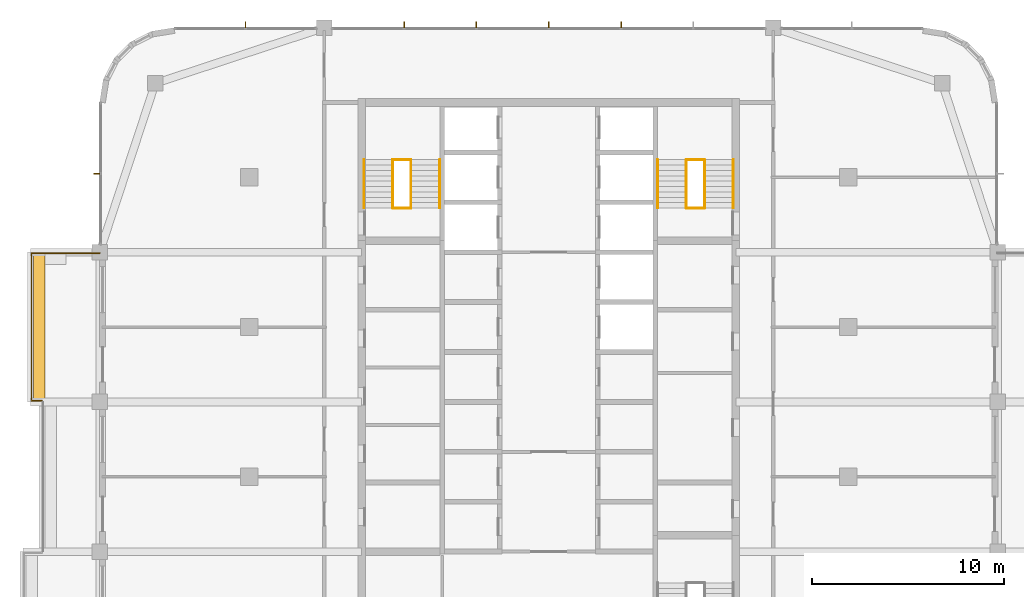
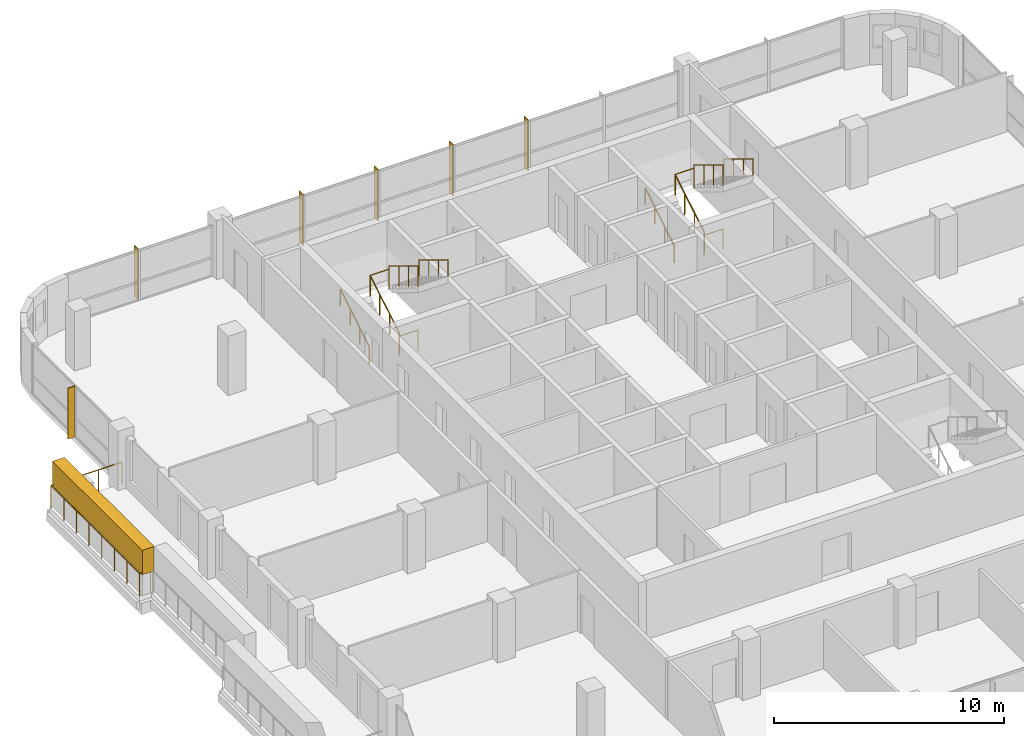
# One storey, part 21 of 22: 13 railings, 6 shading devices, 1 covering, 2 elements without a shape of their own.
"""IFC4 building model written with IfcOpenShell, lengths in metres."""

from ifc_helpers import new_model, si_unit, direction, frame, origin, origin_2d, place, context, subcontext, project, spatial, rectangle, circle, extrude, material, layer, layer_set, type_object, element, aggregate, save


model = new_model("IFC4")

# Units and contexts
model_context = context("Model", 3, precision=1e-05, world=origin(), true_north=direction((0.0, 1.0)))
body_context = subcontext(model_context, "Body", "Model", "MODEL_VIEW")
ifc_project = project(units=[si_unit("LENGTHUNIT", "METRE"), si_unit("AREAUNIT", "SQUARE_METRE"), si_unit("VOLUMEUNIT", "CUBIC_METRE"), si_unit("PLANEANGLEUNIT", "RADIAN"), si_unit("MASSUNIT", "GRAM", prefix="KILO")], contexts=[model_context])

# Site, building, storey
site_placement = place(None, origin())
site = spatial("IfcSite", under=ifc_project, at=site_placement, CompositionType="ELEMENT")
building_placement = place(site_placement, origin())
building = spatial("IfcBuilding", under=site, at=building_placement, Name="Ludao Terraces", CompositionType="ELEMENT")
storey_placement = place(building_placement, frame((0.0, 0.0, 200.699951171875)))
storey = spatial("IfcBuildingStorey", under=building, at=storey_placement, Name="L54", CompositionType="ELEMENT", Elevation=200.699951171875)

# Railing
ifc_material_1 = material(Name="Stainless steel 304", Category="steel")
railing_type_1 = type_object("IfcRailingType", Name="ENV Balcony glass guard 1200", PredefinedType="GUARDRAIL", material=ifc_material_1)
railing_1_placement = place(storey_placement, frame((58.60009765625, 68.949951171875, 0.0)))
element("IfcRailing", 1, at=railing_1_placement, inside=storey, type_object=railing_type_1, Name="Balcony guard L54 W3", PredefinedType="GUARDRAIL", context=body_context, shape_type="SweptSolid", body=[
    extrude(circle(Radius=0.02392578125, at=origin_2d()), frame((0.0, 0.0, 1.17578125), z_axis=(-1.0, 0.0, 0.0), x_axis=(0.0, -1.0, 0.0)), (0.0, 0.0, 1.0), 0.550048828125),
    extrude(circle(Radius=0.02392578125, at=origin_2d()), frame((-0.550048828125, 0.0, 1.17578125), z_axis=(0.0, 1.0, 0.0), x_axis=(-1.0, 0.0, 0.0)), (0.0, 0.0, 1.0), 7.699951171875),
    extrude(circle(Radius=0.02392578125, at=origin_2d()), frame((-0.550048828125, 7.699951171875, 1.17578125), z_axis=(1.0, 0.0, 0.0), x_axis=(0.0, 1.0, 0.0)), (0.0, 0.0, 1.0), 3.550048828125),
    extrude(circle(Radius=0.02099609375, at=origin_2d()), origin(), (0.0, 0.0, 1.0), 1.15185546875),
    extrude(circle(Radius=0.02099609375, at=origin_2d()), frame((-0.550048828125, 0.0, 0.0)), (0.0, 0.0, 1.0), 1.15185546875),
    extrude(circle(Radius=0.02099609375, at=origin_2d()), frame((-0.550048828125, 1.10009765625, 0.0)), (0.0, 0.0, 1.0), 1.15185546875),
    extrude(circle(Radius=0.02099609375, at=origin_2d()), frame((-0.550048828125, 2.199951171875, 0.0)), (0.0, 0.0, 1.0), 1.15185546875),
    extrude(circle(Radius=0.02099609375, at=origin_2d()), frame((-0.550048828125, 3.300048828125, 0.0)), (0.0, 0.0, 1.0), 1.15185546875),
    extrude(circle(Radius=0.02099609375, at=origin_2d()), frame((-0.550048828125, 4.39990234375, 0.0)), (0.0, 0.0, 1.0), 1.15185546875),
    extrude(circle(Radius=0.02099609375, at=origin_2d()), frame((-0.550048828125, 5.5, 0.0)), (0.0, 0.0, 1.0), 1.15185546875),
    extrude(circle(Radius=0.02099609375, at=origin_2d()), frame((-0.550048828125, 6.599853515625, 0.0)), (0.0, 0.0, 1.0), 1.15185546875),
    extrude(circle(Radius=0.02099609375, at=origin_2d()), frame((-0.550048828125, 7.699951171875, 0.0)), (0.0, 0.0, 1.0), 1.15185546875),
    extrude(circle(Radius=0.02099609375, at=origin_2d()), frame((0.63330078125, 7.699951171875, 0.0)), (0.0, 0.0, 1.0), 1.15185546875),
    extrude(circle(Radius=0.02099609375, at=origin_2d()), frame((1.816650390625, 7.699951171875, 0.0)), (0.0, 0.0, 1.0), 1.15185546875),
    extrude(circle(Radius=0.02099609375, at=origin_2d()), frame((3.0, 7.699951171875, 0.0)), (0.0, 0.0, 1.0), 1.15185546875),
])

# Covering
ifc_material_2 = material(Name="Planting")
ifc_layer_1 = layer(ifc_material_2, 0.60009765625)
ifc_layer_set_1 = layer_set([ifc_layer_1], Name="ENV Planting hedge 600x1300")
covering_type = type_object("IfcCoveringType", Name="ENV Planting hedge 600x1300", PredefinedType="USERDEFINED", material=ifc_layer_set_1)
covering_placement = place(storey_placement, frame((58.449951171875, 72.800048828125, 1.10009765625), z_axis=(0.0, 0.0, 1.0), x_axis=(1.0, 0.0, 0.0)))
element("IfcCovering", 2, at=covering_placement, inside=storey, type_object=covering_type, Name="Planting hedge L54-W3", ObjectType="PLANTING", PredefinedType="USERDEFINED", context=body_context, shape_type="SweptSolid", body=[
    extrude(rectangle(XDim=0.60009765625, YDim=7.800048828125, at=origin_2d()), origin(), (0.0, 0.0, 1.0), 1.300048828125),
])

# Shading devices
ifc_material_3 = material(Name="Aluminium 6063-T6", Category="aluminium")
ifc_layer_2 = layer(ifc_material_3, 0.050048828125)
ifc_layer_set_2 = layer_set([ifc_layer_2], Name="ENV Sun fin 50x350")
shading_device_type = type_object("IfcShadingDeviceType", Name="ENV Sun fin 50x350", PredefinedType="USERDEFINED", material=ifc_layer_set_2)
for number, where, z_axis, x_axis, name in (
    (3, (69.199951171875, 88.5400390625, 0.0), (0.0, 0.0, 1.0), (1.0, 0.0, 0.0), "FN-CW-L54-N1-1"),
    (4, (77.466552734375, 88.5400390625, 0.0), (0.0, 0.0, 1.0), (1.0, 0.0, 0.0), "FN-CW-L54-N2-1"),
    (5, (81.2333984375, 88.5400390625, 0.0), (0.0, 0.0, 1.0), (1.0, 0.0, 0.0), "FN-CW-L54-N2-2"),
    (6, (85.0, 88.5400390625, 0.0), (0.0, 0.0, 1.0), (1.0, 0.0, 0.0), "FN-CW-L54-N2-3"),
    (7, (88.7666015625, 88.5400390625, 0.0), (0.0, 0.0, 1.0), (1.0, 0.0, 0.0), "FN-CW-L54-N2-4"),
):
    element("IfcShadingDevice", number, at=place(storey_placement, frame(where, z_axis=z_axis, x_axis=x_axis)), inside=storey, type_object=shading_device_type, Name=name, ObjectType="FIN", PredefinedType="USERDEFINED", context=body_context, shape_type="SweptSolid", body=[
        extrude(rectangle(XDim=0.050048828125, YDim=0.35009765625, at=origin_2d()), origin(), (0.0, 0.0, 1.0), 2.699951171875),
    ])
shading_device_placement = place(storey_placement, frame((61.4599609375, 80.800048828125, 0.0), z_axis=(0.0, 0.0, 1.0), x_axis=(1.0, 0.0, 0.0)))
element("IfcShadingDevice", 8, at=shading_device_placement, inside=storey, type_object=shading_device_type, Name="FN-CW-L54-W5-1", ObjectType="FIN", PredefinedType="USERDEFINED", context=body_context, shape_type="SweptSolid", body=[
    extrude(rectangle(XDim=0.35009765625, YDim=0.050048828125, at=origin_2d()), origin(), (0.0, 0.0, 1.0), 2.699951171875),
])

# Stair, railings
ifc_material_4 = material(Name="Concrete C40", Category="concrete")
stair_type = type_object("IfcStairType", Name="INT Stair", PredefinedType="HALF_TURN_STAIR", material=ifc_material_4)
stair_1_placement = place(storey_placement, origin())
stair_1 = element("IfcStair", 9, at=stair_1_placement, inside=storey, type_object=stair_type, Name="EXIT STAIR 1", PredefinedType="HALF_TURN_STAIR")
railing_type_2 = type_object("IfcRailingType", Name="INT Stair guard 1100", PredefinedType="GUARDRAIL", material=ifc_material_1)
railing_2_placement = place(storey_placement, frame((76.875, 79.0, 0.170166015625)))
railing_2 = element("IfcRailing", 10, at=railing_2_placement, type_object=railing_type_2, Name="ST-L54-S1-R1G", PredefinedType="GUARDRAIL", context=body_context, shape_type="SweptSolid", body=[
    extrude(circle(Radius=0.02392578125, at=origin_2d()), frame((0.0, 0.0, 1.076171875), z_axis=(0.0, 0.854821627497, 0.518921945155), x_axis=(-1.0, 0.0, 0.0)), (0.0, 0.0, 1.0), 2.947998046875),
    extrude(circle(Radius=0.02099609375, at=origin_2d()), origin(), (0.0, 0.0, 1.0), 1.052001953125),
    extrude(circle(Radius=0.02099609375, at=origin_2d()), frame((0.0, 0.840087890625, 0.510009765625)), (0.0, 0.0, 1.0), 1.052001953125),
    extrude(circle(Radius=0.02099609375, at=origin_2d()), frame((0.0, 1.679931640625, 1.019775390625)), (0.0, 0.0, 1.0), 1.052001953125),
    extrude(circle(Radius=0.02099609375, at=origin_2d()), frame((0.0, 2.52001953125, 1.52978515625)), (0.0, 0.0, 1.0), 1.052001953125),
])
railing_3_placement = place(storey_placement, frame((77.824951171875, 81.52001953125, 1.8701171875)))
railing_3 = element("IfcRailing", 11, at=railing_3_placement, type_object=railing_type_2, Name="ST-L54-S1-R2G", PredefinedType="GUARDRAIL", context=body_context, shape_type="SweptSolid", body=[
    extrude(circle(Radius=0.02392578125, at=origin_2d()), frame((0.0, 0.0, 1.076171875), z_axis=(0.0, -0.85478489116, 0.518982456201), x_axis=(1.0, 0.0, 0.0)), (0.0, 0.0, 1.0), 2.9482421875),
    extrude(circle(Radius=0.02099609375, at=origin_2d()), origin(), (0.0, 0.0, 1.0), 1.052001953125),
    extrude(circle(Radius=0.02099609375, at=origin_2d()), frame((0.0, -0.840087890625, 0.510009765625)), (0.0, 0.0, 1.0), 1.052001953125),
    extrude(circle(Radius=0.02099609375, at=origin_2d()), frame((0.0, -1.679931640625, 1.02001953125)), (0.0, 0.0, 1.0), 1.052001953125),
    extrude(circle(Radius=0.02099609375, at=origin_2d()), frame((0.0, -2.52001953125, 1.530029296875)), (0.0, 0.0, 1.0), 1.052001953125),
])
railing_4_placement = place(storey_placement, frame((76.875, 81.52001953125, 1.699951171875)))
railing_4 = element("IfcRailing", 12, at=railing_4_placement, type_object=railing_type_2, Name="ST-L54-S1-E1G", PredefinedType="GUARDRAIL", context=body_context, shape_type="SweptSolid", body=[
    extrude(circle(Radius=0.02392578125, at=origin_2d()), frame((0.0, 0.0, 1.076171875), z_axis=(1.0, 0.0, 0.0), x_axis=(0.0, 1.0, 0.0)), (0.0, 0.0, 1.0), 0.949951171875),
    extrude(circle(Radius=0.02099609375, at=origin_2d()), origin(), (0.0, 0.0, 1.0), 1.052001953125),
    extrude(circle(Radius=0.02099609375, at=origin_2d()), frame((0.949951171875, 0.0, 0.0)), (0.0, 0.0, 1.0), 1.052001953125),
])
railing_5_placement = place(storey_placement, frame((76.875, 79.0, 0.0)))
railing_5 = element("IfcRailing", 13, at=railing_5_placement, type_object=railing_type_2, Name="ST-L54-S1-E2G", PredefinedType="GUARDRAIL", context=body_context, shape_type="SweptSolid", body=[
    extrude(circle(Radius=0.02392578125, at=origin_2d()), frame((0.0, 0.0, 1.076171875), z_axis=(1.0, 0.0, 0.0), x_axis=(0.0, 1.0, 0.0)), (0.0, 0.0, 1.0), 0.949951171875),
    extrude(circle(Radius=0.02099609375, at=origin_2d()), origin(), (0.0, 0.0, 1.0), 1.052001953125),
    extrude(circle(Radius=0.02099609375, at=origin_2d()), frame((0.949951171875, 0.0, 0.0)), (0.0, 0.0, 1.0), 1.052001953125),
])

stair_2_placement = place(storey_placement, origin())
stair_2 = element("IfcStair", 14, at=stair_2_placement, inside=storey, type_object=stair_type, Name="EXIT STAIR 2", PredefinedType="HALF_TURN_STAIR")
railing_6_placement = place(storey_placement, frame((92.175048828125, 79.0, 0.170166015625)))
railing_6 = element("IfcRailing", 15, at=railing_6_placement, type_object=railing_type_2, Name="ST-L54-S2-R1G", PredefinedType="GUARDRAIL", context=body_context, shape_type="SweptSolid", body=[
    extrude(circle(Radius=0.02392578125, at=origin_2d()), frame((0.0, 0.0, 1.076171875), z_axis=(0.0, 0.854821627497, 0.518921945155), x_axis=(-1.0, 0.0, 0.0)), (0.0, 0.0, 1.0), 2.947998046875),
    extrude(circle(Radius=0.02099609375, at=origin_2d()), origin(), (0.0, 0.0, 1.0), 1.052001953125),
    extrude(circle(Radius=0.02099609375, at=origin_2d()), frame((0.0, 0.840087890625, 0.510009765625)), (0.0, 0.0, 1.0), 1.052001953125),
    extrude(circle(Radius=0.02099609375, at=origin_2d()), frame((0.0, 1.679931640625, 1.019775390625)), (0.0, 0.0, 1.0), 1.052001953125),
    extrude(circle(Radius=0.02099609375, at=origin_2d()), frame((0.0, 2.52001953125, 1.52978515625)), (0.0, 0.0, 1.0), 1.052001953125),
])
railing_7_placement = place(storey_placement, frame((93.125, 81.52001953125, 1.8701171875)))
railing_7 = element("IfcRailing", 16, at=railing_7_placement, type_object=railing_type_2, Name="ST-L54-S2-R2G", PredefinedType="GUARDRAIL", context=body_context, shape_type="SweptSolid", body=[
    extrude(circle(Radius=0.02392578125, at=origin_2d()), frame((0.0, 0.0, 1.076171875), z_axis=(0.0, -0.85478489116, 0.518982456201), x_axis=(1.0, 0.0, 0.0)), (0.0, 0.0, 1.0), 2.9482421875),
    extrude(circle(Radius=0.02099609375, at=origin_2d()), origin(), (0.0, 0.0, 1.0), 1.052001953125),
    extrude(circle(Radius=0.02099609375, at=origin_2d()), frame((0.0, -0.840087890625, 0.510009765625)), (0.0, 0.0, 1.0), 1.052001953125),
    extrude(circle(Radius=0.02099609375, at=origin_2d()), frame((0.0, -1.679931640625, 1.02001953125)), (0.0, 0.0, 1.0), 1.052001953125),
    extrude(circle(Radius=0.02099609375, at=origin_2d()), frame((0.0, -2.52001953125, 1.530029296875)), (0.0, 0.0, 1.0), 1.052001953125),
])
railing_8_placement = place(storey_placement, frame((92.175048828125, 81.52001953125, 1.699951171875)))
railing_8 = element("IfcRailing", 17, at=railing_8_placement, type_object=railing_type_2, Name="ST-L54-S2-E1G", PredefinedType="GUARDRAIL", context=body_context, shape_type="SweptSolid", body=[
    extrude(circle(Radius=0.02392578125, at=origin_2d()), frame((0.0, 0.0, 1.076171875), z_axis=(1.0, 0.0, 0.0), x_axis=(0.0, 1.0, 0.0)), (0.0, 0.0, 1.0), 0.949951171875),
    extrude(circle(Radius=0.02099609375, at=origin_2d()), origin(), (0.0, 0.0, 1.0), 1.052001953125),
    extrude(circle(Radius=0.02099609375, at=origin_2d()), frame((0.949951171875, 0.0, 0.0)), (0.0, 0.0, 1.0), 1.052001953125),
])
railing_9_placement = place(storey_placement, frame((92.175048828125, 79.0, 0.0)))
railing_9 = element("IfcRailing", 18, at=railing_9_placement, type_object=railing_type_2, Name="ST-L54-S2-E2G", PredefinedType="GUARDRAIL", context=body_context, shape_type="SweptSolid", body=[
    extrude(circle(Radius=0.02392578125, at=origin_2d()), frame((0.0, 0.0, 1.076171875), z_axis=(1.0, 0.0, 0.0), x_axis=(0.0, 1.0, 0.0)), (0.0, 0.0, 1.0), 0.949951171875),
    extrude(circle(Radius=0.02099609375, at=origin_2d()), origin(), (0.0, 0.0, 1.0), 1.052001953125),
    extrude(circle(Radius=0.02099609375, at=origin_2d()), frame((0.949951171875, 0.0, 0.0)), (0.0, 0.0, 1.0), 1.052001953125),
])

# Railing
railing_type_3 = type_object("IfcRailingType", Name="INT Stair handrail 900", PredefinedType="HANDRAIL", material=ifc_material_1)
railing_10_placement = place(storey_placement, frame((75.375, 79.0, 0.170166015625)))
railing_10 = element("IfcRailing", 19, at=railing_10_placement, type_object=railing_type_3, Name="ST-L54-S1-R1H", PredefinedType="HANDRAIL", context=body_context, shape_type="SweptSolid", body=[
    extrude(circle(Radius=0.02392578125, at=origin_2d()), frame((0.0, 0.0, 0.8759765625), z_axis=(0.0, 0.854821627497, 0.518921945155), x_axis=(-1.0, 0.0, 0.0)), (0.0, 0.0, 1.0), 2.947998046875),
    extrude(circle(Radius=0.02099609375, at=origin_2d()), origin(), (0.0, 0.0, 1.0), 0.851806640625),
    extrude(circle(Radius=0.02099609375, at=origin_2d()), frame((0.0, 0.840087890625, 0.510009765625)), (0.0, 0.0, 1.0), 0.851806640625),
    extrude(circle(Radius=0.02099609375, at=origin_2d()), frame((0.0, 1.679931640625, 1.019775390625)), (0.0, 0.0, 1.0), 0.851806640625),
    extrude(circle(Radius=0.02099609375, at=origin_2d()), frame((0.0, 2.52001953125, 1.52978515625)), (0.0, 0.0, 1.0), 0.851806640625),
])

railing_11_placement = place(storey_placement, frame((79.324951171875, 81.52001953125, 1.8701171875)))
railing_11 = element("IfcRailing", 20, at=railing_11_placement, type_object=railing_type_3, Name="ST-L54-S1-R2H", PredefinedType="HANDRAIL", context=body_context, shape_type="SweptSolid", body=[
    extrude(circle(Radius=0.02392578125, at=origin_2d()), frame((0.0, 0.0, 0.8759765625), z_axis=(0.0, -0.85478489116, 0.518982456201), x_axis=(1.0, 0.0, 0.0)), (0.0, 0.0, 1.0), 2.9482421875),
    extrude(circle(Radius=0.02099609375, at=origin_2d()), origin(), (0.0, 0.0, 1.0), 0.851806640625),
    extrude(circle(Radius=0.02099609375, at=origin_2d()), frame((0.0, -0.840087890625, 0.510009765625)), (0.0, 0.0, 1.0), 0.851806640625),
    extrude(circle(Radius=0.02099609375, at=origin_2d()), frame((0.0, -1.679931640625, 1.02001953125)), (0.0, 0.0, 1.0), 0.851806640625),
    extrude(circle(Radius=0.02099609375, at=origin_2d()), frame((0.0, -2.52001953125, 1.530029296875)), (0.0, 0.0, 1.0), 0.851806640625),
])

aggregate(stair_1, [railing_2, railing_10, railing_3, railing_11, railing_4, railing_5])

railing_12_placement = place(storey_placement, frame((90.675048828125, 79.0, 0.170166015625)))
railing_12 = element("IfcRailing", 21, at=railing_12_placement, type_object=railing_type_3, Name="ST-L54-S2-R1H", PredefinedType="HANDRAIL", context=body_context, shape_type="SweptSolid", body=[
    extrude(circle(Radius=0.02392578125, at=origin_2d()), frame((0.0, 0.0, 0.8759765625), z_axis=(0.0, 0.854821627497, 0.518921945155), x_axis=(-1.0, 0.0, 0.0)), (0.0, 0.0, 1.0), 2.947998046875),
    extrude(circle(Radius=0.02099609375, at=origin_2d()), origin(), (0.0, 0.0, 1.0), 0.851806640625),
    extrude(circle(Radius=0.02099609375, at=origin_2d()), frame((0.0, 0.840087890625, 0.510009765625)), (0.0, 0.0, 1.0), 0.851806640625),
    extrude(circle(Radius=0.02099609375, at=origin_2d()), frame((0.0, 1.679931640625, 1.019775390625)), (0.0, 0.0, 1.0), 0.851806640625),
    extrude(circle(Radius=0.02099609375, at=origin_2d()), frame((0.0, 2.52001953125, 1.52978515625)), (0.0, 0.0, 1.0), 0.851806640625),
])

railing_13_placement = place(storey_placement, frame((94.625, 81.52001953125, 1.8701171875)))
railing_13 = element("IfcRailing", 22, at=railing_13_placement, type_object=railing_type_3, Name="ST-L54-S2-R2H", PredefinedType="HANDRAIL", context=body_context, shape_type="SweptSolid", body=[
    extrude(circle(Radius=0.02392578125, at=origin_2d()), frame((0.0, 0.0, 0.8759765625), z_axis=(0.0, -0.85478489116, 0.518982456201), x_axis=(1.0, 0.0, 0.0)), (0.0, 0.0, 1.0), 2.9482421875),
    extrude(circle(Radius=0.02099609375, at=origin_2d()), origin(), (0.0, 0.0, 1.0), 0.851806640625),
    extrude(circle(Radius=0.02099609375, at=origin_2d()), frame((0.0, -0.840087890625, 0.510009765625)), (0.0, 0.0, 1.0), 0.851806640625),
    extrude(circle(Radius=0.02099609375, at=origin_2d()), frame((0.0, -1.679931640625, 1.02001953125)), (0.0, 0.0, 1.0), 0.851806640625),
    extrude(circle(Radius=0.02099609375, at=origin_2d()), frame((0.0, -2.52001953125, 1.530029296875)), (0.0, 0.0, 1.0), 0.851806640625),
])

aggregate(stair_2, [railing_6, railing_12, railing_7, railing_13, railing_8, railing_9])

save(model, "model.ifc")
